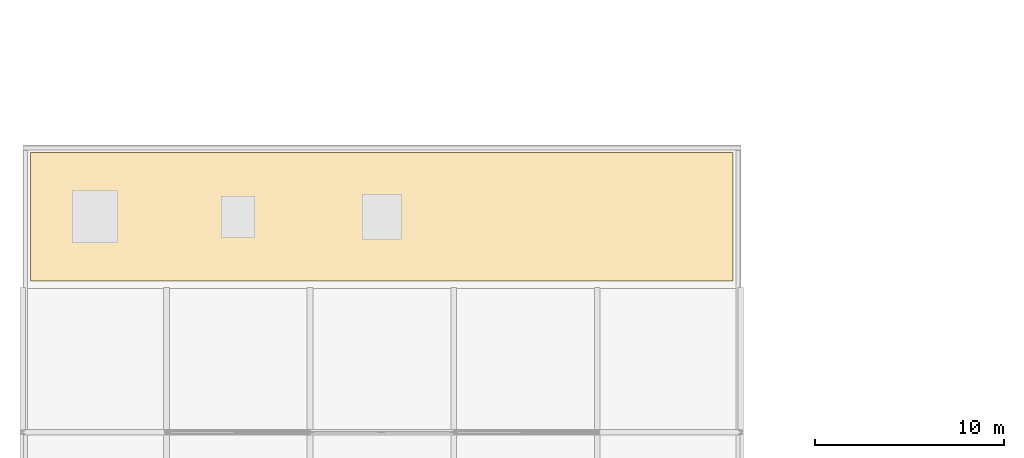
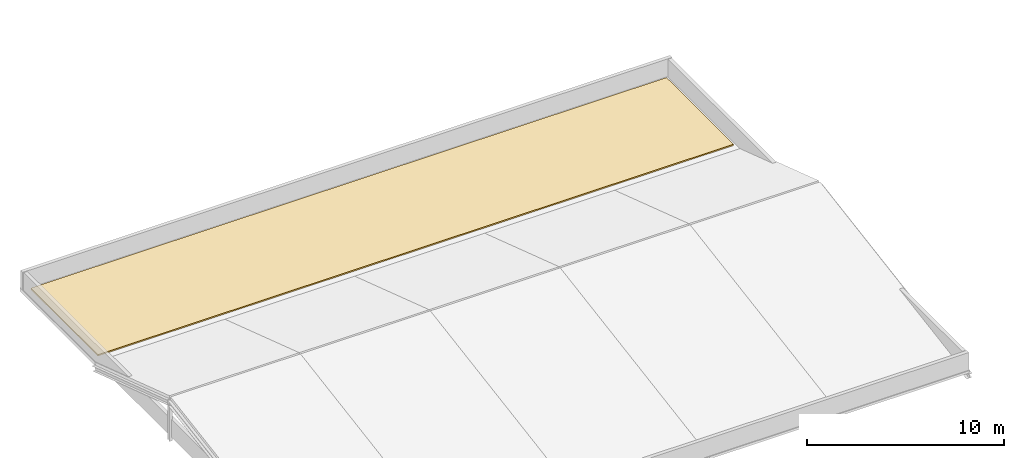
# One storey, part 61 of 65: 1 covering.
"""IFC4 building model written with IfcOpenShell, lengths in metres."""

import ifcopenshell
import ifcopenshell.guid

model = None  # the IFC model being written
_history = None  # IfcOwnerHistory: only IFC2X3 demands one
_inside = {}  # id of a spatial element -> (the spatial element, [elements in it])
_under = {}  # id of a project, library or spatial element -> (it, [spatial elements below it])
_declared = {}  # id of a project -> (the project, [libraries it declares])
_typed = {}  # id of a type object -> (the type object, [elements of that type])
_made_of = {}  # id of a material, layer set ... -> (it, [elements and type objects made of it])


def new_model(schema):
    """Start an empty IFC model of exactly this schema.

    Asked for "IFC4X3", IfcOpenShell would pick the latest addendum, in which some entities
    have other attributes; the version numbers below select the first issue.
    IFC2X3 requires an IfcOwnerHistory on every rooted entity: one is made here for all.
    """
    global model, _history
    if schema == "IFC4X3":
        model = ifcopenshell.file(schema_version=(4, 3, 0, 0))
    else:
        model = ifcopenshell.file(schema=schema)
    _inside.clear()
    _under.clear()
    _declared.clear()
    _typed.clear()
    _made_of.clear()
    _history = None
    if model.schema == "IFC2X3":
        org = make("IfcOrganization", Name="unknown")
        user = make(
            "IfcPersonAndOrganization",
            ThePerson=make("IfcPerson", FamilyName="unknown"),
            TheOrganization=org,
        )
        app = make(
            "IfcApplication",
            ApplicationDeveloper=org,
            Version="unknown",
            ApplicationFullName="unknown",
            ApplicationIdentifier="unknown",
        )
        _history = make(
            "IfcOwnerHistory",
            OwningUser=user,
            OwningApplication=app,
            ChangeAction="ADDED",
            CreationDate=0,
        )
    return model


def make(cls, **values):
    """One entity of the class cls with the attributes given. An attribute that is None is left unset."""
    return model.create_entity(
        cls, **{name: value for name, value in values.items() if value is not None}
    )


def rooted(cls, **values):
    """An entity with a GlobalId (a new one), such as an element, a storey or a relation."""
    return make(cls, GlobalId=ifcopenshell.guid.new(), OwnerHistory=_history, **values)


def si_unit(unit_type, name, prefix=None):
    """IfcSIUnit, for example si_unit("LENGTHUNIT", "METRE", prefix="MILLI")."""
    return make("IfcSIUnit", UnitType=unit_type, Prefix=prefix, Name=name)


def assignment(units):
    """IfcUnitAssignment: the units of a project."""
    return None if units is None else make("IfcUnitAssignment", Units=units)


def point(xyz):
    """IfcCartesianPoint."""
    return None if xyz is None else make("IfcCartesianPoint", Coordinates=xyz)


def direction(xyz):
    """IfcDirection."""
    return None if xyz is None else make("IfcDirection", DirectionRatios=xyz)


def frame(location, z_axis=None, x_axis=None):
    """IfcAxis2Placement3D, a coordinate frame: its origin and axes. An axis left out is left unset."""
    return make(
        "IfcAxis2Placement3D",
        Location=point(location),
        Axis=direction(z_axis),
        RefDirection=direction(x_axis),
    )


def origin():
    """The frame at (0, 0, 0) with its axes left unset."""
    return frame((0.0, 0.0, 0.0))


def place(relative_to, where):
    """IfcLocalPlacement: puts the frame where relative to a parent placement (None: the world)."""
    return make(
        "IfcLocalPlacement", PlacementRelTo=relative_to, RelativePlacement=where
    )


def context(
    kind, dimensions, precision=None, world=None, true_north=None, identifier=None
):
    """IfcGeometricRepresentationContext, for example the 3D "Model" context."""
    return make(
        "IfcGeometricRepresentationContext",
        ContextIdentifier=identifier,
        ContextType=kind,
        CoordinateSpaceDimension=dimensions,
        Precision=precision,
        WorldCoordinateSystem=world,
        TrueNorth=true_north,
    )


def subcontext(parent, identifier, kind, view, scale=None):
    """IfcGeometricRepresentationSubContext, for example "Body" below "Model"."""
    return make(
        "IfcGeometricRepresentationSubContext",
        ContextIdentifier=identifier,
        ContextType=kind,
        ParentContext=parent,
        TargetScale=scale,
        TargetView=view,
    )


def project(units=None, contexts=None):
    """IfcProject with its units and contexts."""
    return rooted(
        "IfcProject",
        Name="project",
        RepresentationContexts=contexts,
        UnitsInContext=assignment(units),
    )


def spatial(cls, under=None, at=None, **own):
    """A site, building, storey or space (cls), placed at a placement, below another one or the project."""
    s = rooted(cls, ObjectPlacement=at, **own)
    if under is not None:
        _under.setdefault(under.id(), (under, []))[1].append(s)
    return s


def polyline(points):
    """IfcPolyline through the points."""
    return make("IfcPolyline", Points=[point(p) for p in points])


def outline(outer, holes=None, kind="AREA"):
    """IfcArbitraryClosedProfileDef: a profile drawn as a closed curve; with holes, ...WithVoids."""
    if holes is None:
        return make("IfcArbitraryClosedProfileDef", ProfileType=kind, OuterCurve=outer)
    return make(
        "IfcArbitraryProfileDefWithVoids",
        ProfileType=kind,
        OuterCurve=outer,
        InnerCurves=holes,
    )


def extrude(swept, where, along, depth):
    """IfcExtrudedAreaSolid: the profile swept, set in the frame where, extruded along a direction by depth."""
    return make(
        "IfcExtrudedAreaSolid",
        SweptArea=swept,
        Position=where,
        ExtrudedDirection=direction(along),
        Depth=depth,
    )


def shape(context_of_items, identifier, shape_type, items):
    """IfcShapeRepresentation: the items that make up one representation, for example the "Body"."""
    return make(
        "IfcShapeRepresentation",
        ContextOfItems=context_of_items,
        RepresentationIdentifier=identifier,
        RepresentationType=shape_type,
        Items=items,
    )


def material(Name=None, Category=None):
    """IfcMaterial."""
    return make("IfcMaterial", Name=Name, Category=Category)


def layer(
    of_material, thickness, ventilated=None, Name=None, Category=None, Priority=None
):
    """IfcMaterialLayer: one layer of a wall or slab, of a material (None: an air gap)."""
    return make(
        "IfcMaterialLayer",
        Material=of_material,
        LayerThickness=thickness,
        IsVentilated=ventilated,
        Name=Name,
        Category=Category,
        Priority=Priority,
    )


def layer_set(layers, Name=None):
    """IfcMaterialLayerSet."""
    return make("IfcMaterialLayerSet", MaterialLayers=layers, LayerSetName=Name)


def made_of(thing, what):
    """Note that an element or type object is made of a material, layer set ...; save() writes the relation."""
    if what is not None:
        _made_of.setdefault(what.id(), (what, []))[1].append(thing)
    return thing


def type_object(cls, material=None, **own):
    """A type object (cls), such as IfcWallType, which elements share."""
    return made_of(rooted(cls, **own), material)


def element(
    cls,
    number,
    at=None,
    inside=None,
    cuts=None,
    type_object=None,
    material=None,
    context=None,
    identifier="Body",
    shape_type=None,
    held_by="IfcProductDefinitionShape",
    body=None,
    shapes=None,
    **own,
):
    """One element of the class cls, such as IfcWall. Its Tag is "e" and its number.

    at: its placement. inside: the storey or other place that contains it. cuts: it is an
    opening in that element (IfcRelVoidsElement). A single representation is given by context,
    identifier, shape_type and body (its items); several are given by shapes. held_by: the class
    of the entity that holds the representations. save() writes the other relations.
    """
    e = rooted(cls, Tag="e%d" % number, ObjectPlacement=at, **own)
    if body is not None:
        shapes = [shape(context, identifier, shape_type, body)]
    if shapes is not None:
        e.Representation = make(held_by, Representations=shapes)
    if inside is not None:
        _inside.setdefault(inside.id(), (inside, []))[1].append(e)
    if cuts is not None:
        rooted(
            "IfcRelVoidsElement", RelatingBuildingElement=cuts, RelatedOpeningElement=e
        )
    if type_object is not None:
        _typed.setdefault(type_object.id(), (type_object, []))[1].append(e)
    return made_of(e, material)


def aggregate(whole, parts):
    """IfcRelAggregates: a whole, such as a stair, and the parts it consists of."""
    return rooted("IfcRelAggregates", RelatingObject=whole, RelatedObjects=parts)


def save(model, path):
    """Write the relations noted so far, then the file.

    IfcRelAggregates (storeys below a building ...), IfcRelContainedInSpatialStructure (elements
    in a storey), IfcRelDefinesByType, IfcRelAssociatesMaterial and IfcRelDeclares: one each for
    every whole, place, type object, material and project.
    """
    for whole, parts in _under.values():
        aggregate(whole, parts)
    for where, things in _inside.values():
        rooted(
            "IfcRelContainedInSpatialStructure",
            RelatedElements=things,
            RelatingStructure=where,
        )
    for kind, things in _typed.values():
        rooted("IfcRelDefinesByType", RelatedObjects=things, RelatingType=kind)
    for what, things in _made_of.values():
        rooted("IfcRelAssociatesMaterial", RelatedObjects=things, RelatingMaterial=what)
    for by, libraries in _declared.values():
        rooted("IfcRelDeclares", RelatingContext=by, RelatedDefinitions=libraries)
    model.write(path)


model = new_model("IFC4")

# Units and contexts
model_context = context("Model", 3, precision=1e-05, world=origin(), true_north=direction((0.0, 1.0)))
body_context = subcontext(model_context, "Body", "Model", "MODEL_VIEW")
ifc_project = project(units=[si_unit("LENGTHUNIT", "METRE"), si_unit("AREAUNIT", "SQUARE_METRE"), si_unit("VOLUMEUNIT", "CUBIC_METRE"), si_unit("PLANEANGLEUNIT", "RADIAN"), si_unit("MASSUNIT", "GRAM", prefix="KILO")], contexts=[model_context])

# Site, building, storey
site_placement = place(None, origin())
site = spatial("IfcSite", under=ifc_project, at=site_placement, CompositionType="ELEMENT")
building_placement = place(site_placement, origin())
building = spatial("IfcBuilding", under=site, at=building_placement, Name="Montecoro Central Library", CompositionType="ELEMENT")
storey_placement = place(building_placement, frame((0.0, 0.0, 17.340087890625)))
storey = spatial("IfcBuildingStorey", under=building, at=storey_placement, Name="L04", CompositionType="ELEMENT", Elevation=17.340087890625)

# Covering
ifc_material = material(Name="SBS modified bitumen insulated roofing")
ifc_layer = layer(ifc_material, 0.080078125)
ifc_layer_set = layer_set([ifc_layer], Name="SBS modified bitumen insulated roofing")
covering_type = type_object("IfcCoveringType", Name="COV-ROOF-080", PredefinedType="ROOFING", material=ifc_layer_set)
covering_placement = place(storey_placement, origin())
element("IfcCovering", 1, at=covering_placement, inside=storey, type_object=covering_type, Name="V4-ROOF-COV", PredefinedType="ROOFING", context=body_context, shape_type="SweptSolid", body=[
    extrude(outline(polyline([(5.39990234375, 104.199951171875), (42.60009765625, 104.199951171875), (42.60009765625, 111.0), (5.39990234375, 111.0), (5.39990234375, 104.199951171875)])), origin(), (0.0, 0.0, 1.0), 0.079833984375),
])

save(model, "model.ifc")
